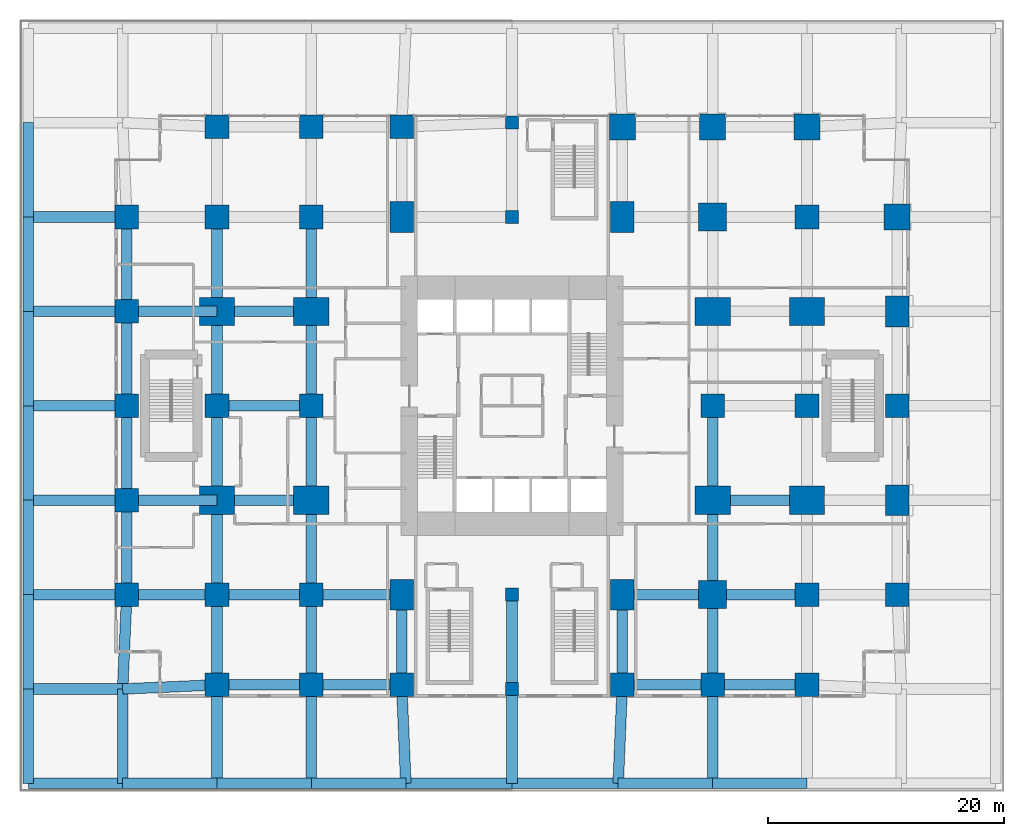
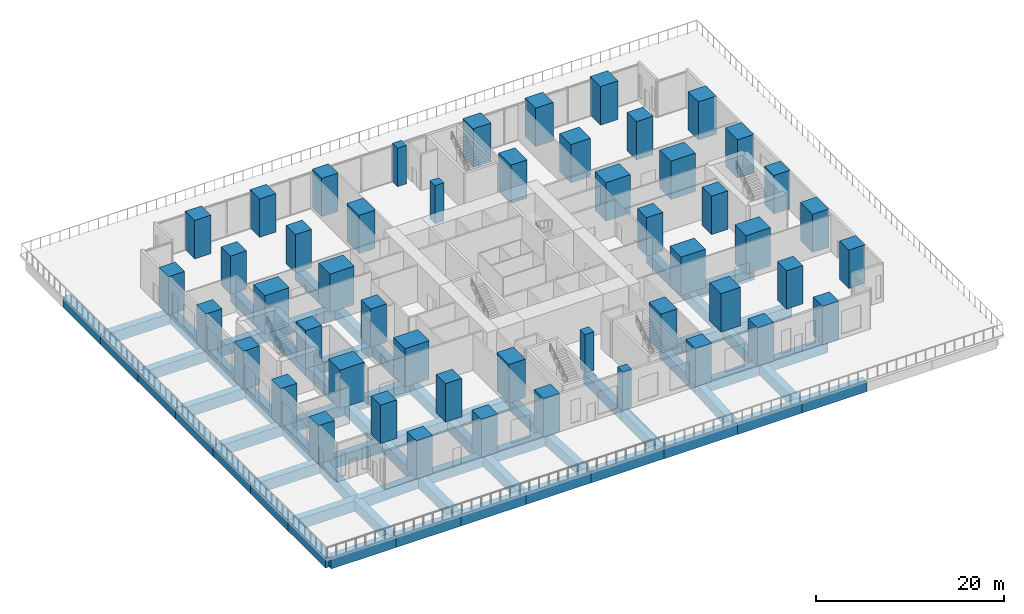
# One storey, part 1 of 16: 65 beams, 50 columns.
"""IFC4 building model written with IfcOpenShell, lengths in metres."""

import ifcopenshell
import ifcopenshell.guid

model = None  # the IFC model being written
_history = None  # IfcOwnerHistory: only IFC2X3 demands one
_inside = {}  # id of a spatial element -> (the spatial element, [elements in it])
_under = {}  # id of a project, library or spatial element -> (it, [spatial elements below it])
_declared = {}  # id of a project -> (the project, [libraries it declares])
_typed = {}  # id of a type object -> (the type object, [elements of that type])
_made_of = {}  # id of a material, layer set ... -> (it, [elements and type objects made of it])


def new_model(schema):
    """Start an empty IFC model of exactly this schema.

    Asked for "IFC4X3", IfcOpenShell would pick the latest addendum, in which some entities
    have other attributes; the version numbers below select the first issue.
    IFC2X3 requires an IfcOwnerHistory on every rooted entity: one is made here for all.
    """
    global model, _history
    if schema == "IFC4X3":
        model = ifcopenshell.file(schema_version=(4, 3, 0, 0))
    else:
        model = ifcopenshell.file(schema=schema)
    _inside.clear()
    _under.clear()
    _declared.clear()
    _typed.clear()
    _made_of.clear()
    _history = None
    if model.schema == "IFC2X3":
        org = make("IfcOrganization", Name="unknown")
        user = make(
            "IfcPersonAndOrganization",
            ThePerson=make("IfcPerson", FamilyName="unknown"),
            TheOrganization=org,
        )
        app = make(
            "IfcApplication",
            ApplicationDeveloper=org,
            Version="unknown",
            ApplicationFullName="unknown",
            ApplicationIdentifier="unknown",
        )
        _history = make(
            "IfcOwnerHistory",
            OwningUser=user,
            OwningApplication=app,
            ChangeAction="ADDED",
            CreationDate=0,
        )
    return model


def make(cls, **values):
    """One entity of the class cls with the attributes given. An attribute that is None is left unset."""
    return model.create_entity(
        cls, **{name: value for name, value in values.items() if value is not None}
    )


def rooted(cls, **values):
    """An entity with a GlobalId (a new one), such as an element, a storey or a relation."""
    return make(cls, GlobalId=ifcopenshell.guid.new(), OwnerHistory=_history, **values)


def si_unit(unit_type, name, prefix=None):
    """IfcSIUnit, for example si_unit("LENGTHUNIT", "METRE", prefix="MILLI")."""
    return make("IfcSIUnit", UnitType=unit_type, Prefix=prefix, Name=name)


def assignment(units):
    """IfcUnitAssignment: the units of a project."""
    return None if units is None else make("IfcUnitAssignment", Units=units)


def point(xyz):
    """IfcCartesianPoint."""
    return None if xyz is None else make("IfcCartesianPoint", Coordinates=xyz)


def direction(xyz):
    """IfcDirection."""
    return None if xyz is None else make("IfcDirection", DirectionRatios=xyz)


def frame(location, z_axis=None, x_axis=None):
    """IfcAxis2Placement3D, a coordinate frame: its origin and axes. An axis left out is left unset."""
    return make(
        "IfcAxis2Placement3D",
        Location=point(location),
        Axis=direction(z_axis),
        RefDirection=direction(x_axis),
    )


def frame_2d(location, x_axis=None):
    """IfcAxis2Placement2D, a coordinate frame in the plane: its origin and x axis."""
    return make(
        "IfcAxis2Placement2D", Location=point(location), RefDirection=direction(x_axis)
    )


def origin():
    """The frame at (0, 0, 0) with its axes left unset."""
    return frame((0.0, 0.0, 0.0))


def origin_2d():
    """The frame at (0, 0) in the plane with its x axis left unset."""
    return frame_2d((0.0, 0.0))


def place(relative_to, where):
    """IfcLocalPlacement: puts the frame where relative to a parent placement (None: the world)."""
    return make(
        "IfcLocalPlacement", PlacementRelTo=relative_to, RelativePlacement=where
    )


def context(
    kind, dimensions, precision=None, world=None, true_north=None, identifier=None
):
    """IfcGeometricRepresentationContext, for example the 3D "Model" context."""
    return make(
        "IfcGeometricRepresentationContext",
        ContextIdentifier=identifier,
        ContextType=kind,
        CoordinateSpaceDimension=dimensions,
        Precision=precision,
        WorldCoordinateSystem=world,
        TrueNorth=true_north,
    )


def subcontext(parent, identifier, kind, view, scale=None):
    """IfcGeometricRepresentationSubContext, for example "Body" below "Model"."""
    return make(
        "IfcGeometricRepresentationSubContext",
        ContextIdentifier=identifier,
        ContextType=kind,
        ParentContext=parent,
        TargetScale=scale,
        TargetView=view,
    )


def project(units=None, contexts=None):
    """IfcProject with its units and contexts."""
    return rooted(
        "IfcProject",
        Name="project",
        RepresentationContexts=contexts,
        UnitsInContext=assignment(units),
    )


def spatial(cls, under=None, at=None, **own):
    """A site, building, storey or space (cls), placed at a placement, below another one or the project."""
    s = rooted(cls, ObjectPlacement=at, **own)
    if under is not None:
        _under.setdefault(under.id(), (under, []))[1].append(s)
    return s


def profile(cls, at=None, kind="AREA", **sizes):
    """A parametric profile (cls). Its sizes go by their IFC names, for example OverallWidth=200.0."""
    return make(cls, ProfileType=kind, Position=at, **sizes)


def rectangle(**sizes):
    """IfcRectangleProfileDef."""
    return profile("IfcRectangleProfileDef", **sizes)


def extrude(swept, where, along, depth):
    """IfcExtrudedAreaSolid: the profile swept, set in the frame where, extruded along a direction by depth."""
    return make(
        "IfcExtrudedAreaSolid",
        SweptArea=swept,
        Position=where,
        ExtrudedDirection=direction(along),
        Depth=depth,
    )


def shape(context_of_items, identifier, shape_type, items):
    """IfcShapeRepresentation: the items that make up one representation, for example the "Body"."""
    return make(
        "IfcShapeRepresentation",
        ContextOfItems=context_of_items,
        RepresentationIdentifier=identifier,
        RepresentationType=shape_type,
        Items=items,
    )


def material(Name=None, Category=None):
    """IfcMaterial."""
    return make("IfcMaterial", Name=Name, Category=Category)


def material_profile(
    of_material, cross_section, Name=None, Category=None, Priority=None
):
    """IfcMaterialProfile: a cross section and its material."""
    return make(
        "IfcMaterialProfile",
        Name=Name,
        Material=of_material,
        Profile=cross_section,
        Priority=Priority,
        Category=Category,
    )


def profile_set(profiles, Name=None, composite=None):
    """IfcMaterialProfileSet."""
    return make(
        "IfcMaterialProfileSet",
        Name=Name,
        MaterialProfiles=profiles,
        CompositeProfile=composite,
    )


def made_of(thing, what):
    """Note that an element or type object is made of a material, layer set ...; save() writes the relation."""
    if what is not None:
        _made_of.setdefault(what.id(), (what, []))[1].append(thing)
    return thing


def type_object(cls, material=None, **own):
    """A type object (cls), such as IfcWallType, which elements share."""
    return made_of(rooted(cls, **own), material)


def element(
    cls,
    number,
    at=None,
    inside=None,
    cuts=None,
    type_object=None,
    material=None,
    context=None,
    identifier="Body",
    shape_type=None,
    held_by="IfcProductDefinitionShape",
    body=None,
    shapes=None,
    **own,
):
    """One element of the class cls, such as IfcWall. Its Tag is "e" and its number.

    at: its placement. inside: the storey or other place that contains it. cuts: it is an
    opening in that element (IfcRelVoidsElement). A single representation is given by context,
    identifier, shape_type and body (its items); several are given by shapes. held_by: the class
    of the entity that holds the representations. save() writes the other relations.
    """
    e = rooted(cls, Tag="e%d" % number, ObjectPlacement=at, **own)
    if body is not None:
        shapes = [shape(context, identifier, shape_type, body)]
    if shapes is not None:
        e.Representation = make(held_by, Representations=shapes)
    if inside is not None:
        _inside.setdefault(inside.id(), (inside, []))[1].append(e)
    if cuts is not None:
        rooted(
            "IfcRelVoidsElement", RelatingBuildingElement=cuts, RelatedOpeningElement=e
        )
    if type_object is not None:
        _typed.setdefault(type_object.id(), (type_object, []))[1].append(e)
    return made_of(e, material)


def aggregate(whole, parts):
    """IfcRelAggregates: a whole, such as a stair, and the parts it consists of."""
    return rooted("IfcRelAggregates", RelatingObject=whole, RelatedObjects=parts)


def save(model, path):
    """Write the relations noted so far, then the file.

    IfcRelAggregates (storeys below a building ...), IfcRelContainedInSpatialStructure (elements
    in a storey), IfcRelDefinesByType, IfcRelAssociatesMaterial and IfcRelDeclares: one each for
    every whole, place, type object, material and project.
    """
    for whole, parts in _under.values():
        aggregate(whole, parts)
    for where, things in _inside.values():
        rooted(
            "IfcRelContainedInSpatialStructure",
            RelatedElements=things,
            RelatingStructure=where,
        )
    for kind, things in _typed.values():
        rooted("IfcRelDefinesByType", RelatedObjects=things, RelatingType=kind)
    for what, things in _made_of.values():
        rooted("IfcRelAssociatesMaterial", RelatedObjects=things, RelatingMaterial=what)
    for by, libraries in _declared.values():
        rooted("IfcRelDeclares", RelatingContext=by, RelatedDefinitions=libraries)
    model.write(path)


model = new_model("IFC4")

# Units and contexts
model_context = context("Model", 3, precision=1e-05, world=origin(), true_north=direction((0.0, 1.0)))
body_context = subcontext(model_context, "Body", "Model", "MODEL_VIEW")
ifc_project = project(units=[si_unit("LENGTHUNIT", "METRE"), si_unit("AREAUNIT", "SQUARE_METRE"), si_unit("VOLUMEUNIT", "CUBIC_METRE"), si_unit("PLANEANGLEUNIT", "RADIAN"), si_unit("MASSUNIT", "GRAM", prefix="KILO")], contexts=[model_context])

# Site, building, storey
site_placement = place(None, origin())
site = spatial("IfcSite", under=ifc_project, at=site_placement, CompositionType="ELEMENT")
building_placement = place(site_placement, origin())
building = spatial("IfcBuilding", under=site, at=building_placement, Name="Cleftline Residences", CompositionType="ELEMENT")
storey_placement = place(building_placement, frame((0.0, 0.0, 16.0)))
storey = spatial("IfcBuildingStorey", under=building, at=storey_placement, Name="L03", CompositionType="ELEMENT", Elevation=16.0)

# Columns
ifc_material_1 = material(Name="Concrete B70", Category="concrete")
ifc_material_profile_1 = material_profile(ifc_material_1, rectangle(XDim=1.10009765625, YDim=1.10009765625, at=origin_2d()))
ifc_profile_set_1 = profile_set([ifc_material_profile_1], Name="Concrete B70")
column_type_1 = type_object("IfcColumnType", Name="COLUMN RC1100X1100", PredefinedType="COLUMN", material=ifc_profile_set_1)
for number, where, z_axis, x_axis, name in (
    (1, (33.0, 0.0, 0.0), (0.0, 0.0, 1.0), (1.0, 0.0, 0.0), "Column C/7"),
    (2, (33.0, 8.0, 0.0), (0.0, 0.0, 1.0), (1.0, 0.0, 0.0), "Column D/7"),
    (3, (33.0, 40.0, 0.0), (0.0, 0.0, 1.0), (1.0, 0.0, 0.0), "Column H/7"),
    (4, (33.0, 48.0, 0.0), (0.0, 0.0, 1.0), (1.0, 0.0, 0.0), "Column J/7"),
):
    element("IfcColumn", number, at=place(storey_placement, frame(where, z_axis=z_axis, x_axis=x_axis)), inside=storey, type_object=column_type_1, Name=name, PredefinedType="COLUMN", context=body_context, shape_type="SweptSolid", body=[
        extrude(rectangle(XDim=1.10009765625, YDim=1.10009765625, at=origin_2d()), origin(), (0.0, 0.0, 1.0), 5.0),
    ])
ifc_material_2 = material(Name="Concrete B70", Category="concrete")
ifc_material_profile_2 = material_profile(ifc_material_2, rectangle(XDim=2.0, YDim=2.0, at=origin_2d()))
ifc_profile_set_2 = profile_set([ifc_material_profile_2], Name="Concrete B70")
column_type_2 = type_object("IfcColumnType", Name="COLUMN RC2000X2000", PredefinedType="COLUMN", material=ifc_profile_set_2)
for number, where, z_axis, x_axis, name in (
    (5, (0.35009765625, 8.0, 0.0), (0.0, 0.0, 1.0), (1.0, 0.0, 0.0), "Column D/3"),
    (6, (0.35009765625, 16.0, 0.0), (0.0, 0.0, 1.0), (1.0, 0.0, 0.0), "Column E/3"),
    (7, (0.35009765625, 24.0, 0.0), (0.0, 0.0, 1.0), (1.0, 0.0, 0.0), "Column F/3"),
    (8, (0.35009765625, 32.0, 0.0), (0.0, 0.0, 1.0), (1.0, 0.0, 0.0), "Column G/3"),
    (9, (0.35009765625, 40.0, 0.0), (0.0, 0.0, 1.0), (1.0, 0.0, 0.0), "Column H/3"),
    (10, (8.0, 0.35009765625, 0.0), (0.0, 0.0, 1.0), (1.0, 0.0, 0.0), "Column C/4"),
    (11, (8.0, 8.0, 0.0), (0.0, 0.0, 1.0), (1.0, 0.0, 0.0), "Column D/4"),
    (12, (8.0, 24.0, 0.0), (0.0, 0.0, 1.0), (1.0, 0.0, 0.0), "Column F/4"),
    (13, (8.0, 40.0, 0.0), (0.0, 0.0, 1.0), (1.0, 0.0, 0.0), "Column H/4"),
    (14, (8.0, 47.64990234375, 0.0), (0.0, 0.0, 1.0), (1.0, 0.0, 0.0), "Column J/4"),
    (15, (16.0, 0.35009765625, 0.0), (0.0, 0.0, 1.0), (1.0, 0.0, 0.0), "Column C/5"),
    (16, (16.0, 8.0, 0.0), (0.0, 0.0, 1.0), (1.0, 0.0, 0.0), "Column D/5"),
    (17, (16.0, 24.0, 0.0), (0.0, 0.0, 1.0), (1.0, 0.0, 0.0), "Column F/5"),
    (18, (16.0, 40.0, 0.0), (0.0, 0.0, 1.0), (1.0, 0.0, 0.0), "Column H/5"),
    (19, (16.0, 47.64990234375, 0.0), (0.0, 0.0, 1.0), (1.0, 0.0, 0.0), "Column J/5"),
    (20, (23.64990234375, 0.35009765625, 0.0), (0.0, 0.0, 1.0), (1.0, 0.0, 0.0), "Column C/6"),
    (21, (23.64990234375, 47.64990234375, 0.0), (0.0, 0.0, 1.0), (1.0, 0.0, 0.0), "Column J/6"),
    (22, (42.35009765625, 0.35009765625, 0.0), (0.0, 0.0, 1.0), (1.0, 0.0, 0.0), "Column C/8"),
    (23, (50.0, 0.35009765625, 0.0), (0.0, 0.0, 1.0), (1.0, 0.0, 0.0), "Column C/9"),
    (24, (50.0, 24.0, 0.0), (0.0, 0.0, 1.0), (1.0, 0.0, 0.0), "Column F/9"),
    (25, (58.0, 0.35009765625, 0.0), (0.0, 0.0, 1.0), (1.0, 0.0, 0.0), "Column C/10"),
    (26, (58.0, 8.0, 0.0), (0.0, 0.0, 1.0), (1.0, 0.0, 0.0), "Column D/10"),
    (27, (58.0, 24.0, 0.0), (0.0, 0.0, 1.0), (1.0, 0.0, 0.0), "Column F/10"),
    (28, (58.0, 40.0, 0.0), (0.0, 0.0, 1.0), (1.0, 0.0, 0.0), "Column H/10"),
    (29, (65.64990234375, 8.0, 0.0), (0.0, 0.0, 1.0), (1.0, 0.0, 0.0), "Column D/11"),
    (30, (65.64990234375, 24.0, 0.0), (0.0, 0.0, 1.0), (1.0, 0.0, 0.0), "Column F/11"),
):
    element("IfcColumn", number, at=place(storey_placement, frame(where, z_axis=z_axis, x_axis=x_axis)), inside=storey, type_object=column_type_2, Name=name, PredefinedType="COLUMN", context=body_context, shape_type="SweptSolid", body=[
        extrude(rectangle(XDim=2.0, YDim=2.0, at=origin_2d()), origin(), (0.0, 0.0, 1.0), 5.0),
    ])
ifc_material_3 = material(Name="Concrete B70", Category="concrete")
ifc_material_profile_3 = material_profile(ifc_material_3, rectangle(XDim=2.0, YDim=2.60009765625, at=origin_2d()))
ifc_profile_set_3 = profile_set([ifc_material_profile_3], Name="Concrete B70")
column_type_3 = type_object("IfcColumnType", Name="COLUMN RC2000X2600", PredefinedType="COLUMN", material=ifc_profile_set_3)
for number, where, z_axis, x_axis, name in (
    (31, (23.64990234375, 8.0, 0.0), (0.0, 0.0, 1.0), (1.0, 0.0, 0.0), "Column D/6"),
    (32, (23.64990234375, 40.0, 0.0), (0.0, 0.0, 1.0), (1.0, 0.0, 0.0), "Column H/6"),
    (33, (42.35009765625, 8.0, 0.0), (0.0, 0.0, 1.0), (1.0, 0.0, 0.0), "Column D/8"),
    (34, (42.35009765625, 40.0, 0.0), (0.0, 0.0, 1.0), (1.0, 0.0, 0.0), "Column H/8"),
):
    element("IfcColumn", number, at=place(storey_placement, frame(where, z_axis=z_axis, x_axis=x_axis)), inside=storey, type_object=column_type_3, Name=name, PredefinedType="COLUMN", context=body_context, shape_type="SweptSolid", body=[
        extrude(rectangle(XDim=2.0, YDim=2.60009765625, at=origin_2d()), origin(), (0.0, 0.0, 1.0), 5.0),
    ])
ifc_material_4 = material(Name="Concrete B70", Category="concrete")
ifc_material_profile_4 = material_profile(ifc_material_4, rectangle(XDim=2.199951171875, YDim=2.199951171875, at=origin_2d()))
ifc_profile_set_4 = profile_set([ifc_material_profile_4], Name="Concrete B70")
column_type_4 = type_object("IfcColumnType", Name="COLUMN RC2200X2200", PredefinedType="COLUMN", material=ifc_profile_set_4)
for number, where, z_axis, x_axis, name in (
    (35, (42.35009765625, 47.64990234375, 0.0), (0.0, 0.0, 1.0), (1.0, 0.0, 0.0), "Column J/8"),
    (36, (50.0, 47.64990234375, 0.0), (0.0, 0.0, 1.0), (1.0, 0.0, 0.0), "Column J/9"),
    (37, (58.0, 47.64990234375, 0.0), (0.0, 0.0, 1.0), (1.0, 0.0, 0.0), "Column J/10"),
    (38, (65.64990234375, 40.0, 0.0), (0.0, 0.0, 1.0), (1.0, 0.0, 0.0), "Column H/11"),
):
    element("IfcColumn", number, at=place(storey_placement, frame(where, z_axis=z_axis, x_axis=x_axis)), inside=storey, type_object=column_type_4, Name=name, PredefinedType="COLUMN", context=body_context, shape_type="SweptSolid", body=[
        extrude(rectangle(XDim=2.199951171875, YDim=2.199951171875, at=origin_2d()), origin(), (0.0, 0.0, 1.0), 5.0),
    ])
ifc_material_5 = material(Name="Concrete B70", Category="concrete")
ifc_material_profile_5 = material_profile(ifc_material_5, rectangle(XDim=2.39990234375, YDim=2.39990234375, at=origin_2d()))
ifc_profile_set_5 = profile_set([ifc_material_profile_5], Name="Concrete B70")
column_type_5 = type_object("IfcColumnType", Name="COLUMN RC2400X2400", PredefinedType="COLUMN", material=ifc_profile_set_5)
for number, where, z_axis, x_axis, name in (
    (39, (50.0, 8.0, 0.0), (0.0, 0.0, 1.0), (1.0, 0.0, 0.0), "Column D/9"),
    (40, (50.0, 40.0, 0.0), (0.0, 0.0, 1.0), (1.0, 0.0, 0.0), "Column H/9"),
):
    element("IfcColumn", number, at=place(storey_placement, frame(where, z_axis=z_axis, x_axis=x_axis)), inside=storey, type_object=column_type_5, Name=name, PredefinedType="COLUMN", context=body_context, shape_type="SweptSolid", body=[
        extrude(rectangle(XDim=2.39990234375, YDim=2.39990234375, at=origin_2d()), origin(), (0.0, 0.0, 1.0), 5.0),
    ])
ifc_material_6 = material(Name="Concrete B70", Category="concrete")
ifc_material_profile_6 = material_profile(ifc_material_6, rectangle(XDim=2.60009765625, YDim=2.0, at=origin_2d()))
ifc_profile_set_6 = profile_set([ifc_material_profile_6], Name="Concrete B70")
column_type_6 = type_object("IfcColumnType", Name="COLUMN RC2600X2000", PredefinedType="COLUMN", material=ifc_profile_set_6)
for number, where, z_axis, x_axis, name in (
    (41, (65.64990234375, 16.0, 0.0), (0.0, 0.0, 1.0), (0.0, 1.0, 0.0), "Column E/11"),
    (42, (65.64990234375, 32.0, 0.0), (0.0, 0.0, 1.0), (0.0, 1.0, 0.0), "Column G/11"),
):
    element("IfcColumn", number, at=place(storey_placement, frame(where, z_axis=z_axis, x_axis=x_axis)), inside=storey, type_object=column_type_6, Name=name, PredefinedType="COLUMN", context=body_context, shape_type="SweptSolid", body=[
        extrude(rectangle(XDim=2.60009765625, YDim=2.0, at=origin_2d()), origin(), (0.0, 0.0, 1.0), 5.0),
    ])
ifc_material_7 = material(Name="Concrete B70", Category="concrete")
ifc_material_profile_7 = material_profile(ifc_material_7, rectangle(XDim=3.0, YDim=2.39990234375, at=origin_2d()))
ifc_profile_set_7 = profile_set([ifc_material_profile_7], Name="Concrete B70")
column_type_7 = type_object("IfcColumnType", Name="COLUMN RC3000X2400", PredefinedType="COLUMN", material=ifc_profile_set_7)
for number, where, z_axis, x_axis, name in (
    (43, (8.0, 16.0, 0.0), (0.0, 0.0, 1.0), (1.0, 0.0, 0.0), "Column E/4"),
    (44, (8.0, 32.0, 0.0), (0.0, 0.0, 1.0), (1.0, 0.0, 0.0), "Column G/4"),
    (45, (16.0, 16.0, 0.0), (0.0, 0.0, 1.0), (1.0, 0.0, 0.0), "Column E/5"),
    (46, (16.0, 32.0, 0.0), (0.0, 0.0, 1.0), (1.0, 0.0, 0.0), "Column G/5"),
    (47, (50.0, 16.0, 0.0), (0.0, 0.0, 1.0), (1.0, 0.0, 0.0), "Column E/9"),
    (48, (50.0, 32.0, 0.0), (0.0, 0.0, 1.0), (1.0, 0.0, 0.0), "Column G/9"),
    (49, (58.0, 16.0, 0.0), (0.0, 0.0, 1.0), (1.0, 0.0, 0.0), "Column E/10"),
    (50, (58.0, 32.0, 0.0), (0.0, 0.0, 1.0), (1.0, 0.0, 0.0), "Column G/10"),
):
    element("IfcColumn", number, at=place(storey_placement, frame(where, z_axis=z_axis, x_axis=x_axis)), inside=storey, type_object=column_type_7, Name=name, PredefinedType="COLUMN", context=body_context, shape_type="SweptSolid", body=[
        extrude(rectangle(XDim=3.0, YDim=2.39990234375, at=origin_2d()), origin(), (0.0, 0.0, 1.0), 5.0),
    ])

# Beams
ifc_material_8 = material(Name="Concrete B45", Category="concrete")
ifc_material_profile_8 = material_profile(ifc_material_8, rectangle(XDim=0.89990234375, YDim=1.39990234375, at=origin_2d()))
ifc_profile_set_8 = profile_set([ifc_material_profile_8], Name="Concrete B45")
beam_type = type_object("IfcBeamType", Name="BEAM RC900X1400", PredefinedType="BEAM", material=ifc_profile_set_8)
for number, where, z_axis, x_axis, name in (
    (51, (-8.0, -8.0, -1.0), (1.0, 0.0, 0.0), (0.0, 1.0, 0.0), "Podium beam"),
    (52, (0.0, -8.0, -1.0), (1.0, 0.0, 0.0), (0.0, 1.0, 0.0), "Podium beam"),
    (53, (8.0, -8.0, -1.0), (1.0, 0.0, 0.0), (0.0, 1.0, 0.0), "Podium beam"),
    (54, (16.0, -8.0, -1.0), (1.0, 0.0, 0.0), (0.0, 1.0, 0.0), "Podium beam"),
):
    element("IfcBeam", number, at=place(storey_placement, frame(where, z_axis=z_axis, x_axis=x_axis)), inside=storey, type_object=beam_type, Name=name, PredefinedType="BEAM", context=body_context, shape_type="SweptSolid", body=[
        extrude(rectangle(XDim=0.89990234375, YDim=1.39990234375, at=origin_2d()), origin(), (0.0, 0.0, 1.0), 8.0),
    ])
for number, where, z_axis, x_axis, name in (
    (55, (24.0, -8.0, -1.0), (1.0, 0.0, 0.0), (0.0, 1.0, 0.0), "Podium beam"),
    (56, (33.0, -8.0, -1.0), (1.0, 0.0, 0.0), (0.0, 1.0, 0.0), "Podium beam"),
):
    element("IfcBeam", number, at=place(storey_placement, frame(where, z_axis=z_axis, x_axis=x_axis)), inside=storey, type_object=beam_type, Name=name, PredefinedType="BEAM", context=body_context, shape_type="SweptSolid", body=[
        extrude(rectangle(XDim=0.89990234375, YDim=1.39990234375, at=origin_2d()), origin(), (0.0, 0.0, 1.0), 9.0),
    ])
for number, where, z_axis, x_axis, name in (
    (57, (42.0, -8.0, -1.0), (1.0, 0.0, 0.0), (0.0, 1.0, 0.0), "Podium beam"),
    (58, (50.0, -8.0, -1.0), (1.0, 0.0, 0.0), (0.0, 1.0, 0.0), "Podium beam"),
    (59, (-8.0, 0.0, -1.0), (1.0, 0.0, 0.0), (0.0, 1.0, 0.0), "Podium beam"),
):
    element("IfcBeam", number, at=place(storey_placement, frame(where, z_axis=z_axis, x_axis=x_axis)), inside=storey, type_object=beam_type, Name=name, PredefinedType="BEAM", context=body_context, shape_type="SweptSolid", body=[
        extrude(rectangle(XDim=0.89990234375, YDim=1.39990234375, at=origin_2d()), origin(), (0.0, 0.0, 1.0), 8.0),
    ])
beam_1_placement = place(storey_placement, frame((0.0, 0.0, -1.0), z_axis=(0.999043807824, 0.043720361951, 0.0), x_axis=(-0.043720361951, 0.999043807824, 0.0)))
element("IfcBeam", 60, at=beam_1_placement, inside=storey, type_object=beam_type, Name="Podium beam", PredefinedType="BEAM", context=body_context, shape_type="SweptSolid", body=[
    extrude(rectangle(XDim=0.89990234375, YDim=1.39990234375, at=origin_2d()), origin(), (0.0, 0.0, 1.0), 8.007568359375),
])
beam_2_placement = place(storey_placement, frame((8.0, 0.35009765625, -1.0), z_axis=(1.0, 0.0, 0.0), x_axis=(0.0, 1.0, 0.0)))
element("IfcBeam", 61, at=beam_2_placement, inside=storey, type_object=beam_type, Name="Podium beam", PredefinedType="BEAM", context=body_context, shape_type="SweptSolid", body=[
    extrude(rectangle(XDim=0.89990234375, YDim=1.39990234375, at=origin_2d()), origin(), (0.0, 0.0, 1.0), 8.0),
])
for number, where, z_axis, x_axis, name in (
    (62, (16.0, 0.35009765625, -1.0), (1.0, 0.0, 0.0), (0.0, 1.0, 0.0), "Podium beam"),
    (63, (42.35009765625, 0.35009765625, -1.0), (1.0, 0.0, 0.0), (0.0, 1.0, 0.0), "Podium beam"),
):
    element("IfcBeam", number, at=place(storey_placement, frame(where, z_axis=z_axis, x_axis=x_axis)), inside=storey, type_object=beam_type, Name=name, PredefinedType="BEAM", context=body_context, shape_type="SweptSolid", body=[
        extrude(rectangle(XDim=0.89990234375, YDim=1.39990234375, at=origin_2d()), origin(), (0.0, 0.0, 1.0), 7.64990234375),
    ])
beam_3_placement = place(storey_placement, frame((50.0, 0.35009765625, -1.0), z_axis=(1.0, 0.0, 0.0), x_axis=(0.0, 1.0, 0.0)))
element("IfcBeam", 64, at=beam_3_placement, inside=storey, type_object=beam_type, Name="Podium beam", PredefinedType="BEAM", context=body_context, shape_type="SweptSolid", body=[
    extrude(rectangle(XDim=0.89990234375, YDim=1.39990234375, at=origin_2d()), origin(), (0.0, 0.0, 1.0), 8.0),
])
beam_4_placement = place(storey_placement, frame((-8.0, 8.0, -1.0), z_axis=(1.0, 0.0, 0.0), x_axis=(0.0, 1.0, 0.0)))
element("IfcBeam", 65, at=beam_4_placement, inside=storey, type_object=beam_type, Name="Podium beam", PredefinedType="BEAM", context=body_context, shape_type="SweptSolid", body=[
    extrude(rectangle(XDim=0.89990234375, YDim=1.39990234375, at=origin_2d()), origin(), (0.0, 0.0, 1.0), 8.35009765625),
])
beam_5_placement = place(storey_placement, frame((0.35009765625, 8.0, -1.0), z_axis=(1.0, 0.0, 0.0), x_axis=(0.0, 1.0, 0.0)))
element("IfcBeam", 66, at=beam_5_placement, inside=storey, type_object=beam_type, Name="Podium beam", PredefinedType="BEAM", context=body_context, shape_type="SweptSolid", body=[
    extrude(rectangle(XDim=0.89990234375, YDim=1.39990234375, at=origin_2d()), origin(), (0.0, 0.0, 1.0), 7.64990234375),
])
beam_6_placement = place(storey_placement, frame((8.0, 8.0, -1.0), z_axis=(1.0, 0.0, 0.0), x_axis=(0.0, 1.0, 0.0)))
element("IfcBeam", 67, at=beam_6_placement, inside=storey, type_object=beam_type, Name="Podium beam", PredefinedType="BEAM", context=body_context, shape_type="SweptSolid", body=[
    extrude(rectangle(XDim=0.89990234375, YDim=1.39990234375, at=origin_2d()), origin(), (0.0, 0.0, 1.0), 8.0),
])
for number, where, z_axis, x_axis, name in (
    (68, (16.0, 8.0, -1.0), (1.0, 0.0, 0.0), (0.0, 1.0, 0.0), "Podium beam"),
    (69, (42.35009765625, 8.0, -1.0), (1.0, 0.0, 0.0), (0.0, 1.0, 0.0), "Podium beam"),
):
    element("IfcBeam", number, at=place(storey_placement, frame(where, z_axis=z_axis, x_axis=x_axis)), inside=storey, type_object=beam_type, Name=name, PredefinedType="BEAM", context=body_context, shape_type="SweptSolid", body=[
        extrude(rectangle(XDim=0.89990234375, YDim=1.39990234375, at=origin_2d()), origin(), (0.0, 0.0, 1.0), 7.64990234375),
    ])
beam_7_placement = place(storey_placement, frame((50.0, 8.0, -1.0), z_axis=(1.0, 0.0, 0.0), x_axis=(0.0, 1.0, 0.0)))
element("IfcBeam", 70, at=beam_7_placement, inside=storey, type_object=beam_type, Name="Podium beam", PredefinedType="BEAM", context=body_context, shape_type="SweptSolid", body=[
    extrude(rectangle(XDim=0.89990234375, YDim=1.39990234375, at=origin_2d()), origin(), (0.0, 0.0, 1.0), 8.0),
])
beam_8_placement = place(storey_placement, frame((-8.0, 16.0, -1.0), z_axis=(1.0, 0.0, 0.0), x_axis=(0.0, 1.0, 0.0)))
element("IfcBeam", 71, at=beam_8_placement, inside=storey, type_object=beam_type, Name="Podium beam", PredefinedType="BEAM", context=body_context, shape_type="SweptSolid", body=[
    extrude(rectangle(XDim=0.89990234375, YDim=1.39990234375, at=origin_2d()), origin(), (0.0, 0.0, 1.0), 8.35009765625),
])
beam_9_placement = place(storey_placement, frame((0.35009765625, 16.0, -1.0), z_axis=(1.0, 0.0, 0.0), x_axis=(0.0, 1.0, 0.0)))
element("IfcBeam", 72, at=beam_9_placement, inside=storey, type_object=beam_type, Name="Podium beam", PredefinedType="BEAM", context=body_context, shape_type="SweptSolid", body=[
    extrude(rectangle(XDim=0.89990234375, YDim=1.39990234375, at=origin_2d()), origin(), (0.0, 0.0, 1.0), 7.64990234375),
])
for number, where, z_axis, x_axis, name in (
    (73, (8.0, 16.0, -1.0), (1.0, 0.0, 0.0), (0.0, 1.0, 0.0), "Podium beam"),
    (74, (50.0, 16.0, -1.0), (1.0, 0.0, 0.0), (0.0, 1.0, 0.0), "Podium beam"),
):
    element("IfcBeam", number, at=place(storey_placement, frame(where, z_axis=z_axis, x_axis=x_axis)), inside=storey, type_object=beam_type, Name=name, PredefinedType="BEAM", context=body_context, shape_type="SweptSolid", body=[
        extrude(rectangle(XDim=0.89990234375, YDim=1.39990234375, at=origin_2d()), origin(), (0.0, 0.0, 1.0), 8.0),
    ])
beam_10_placement = place(storey_placement, frame((-8.0, 24.0, -1.0), z_axis=(1.0, 0.0, 0.0), x_axis=(0.0, 1.0, 0.0)))
element("IfcBeam", 75, at=beam_10_placement, inside=storey, type_object=beam_type, Name="Podium beam", PredefinedType="BEAM", context=body_context, shape_type="SweptSolid", body=[
    extrude(rectangle(XDim=0.89990234375, YDim=1.39990234375, at=origin_2d()), origin(), (0.0, 0.0, 1.0), 8.35009765625),
])
beam_11_placement = place(storey_placement, frame((8.0, 24.0, -1.0), z_axis=(1.0, 0.0, 0.0), x_axis=(0.0, 1.0, 0.0)))
element("IfcBeam", 76, at=beam_11_placement, inside=storey, type_object=beam_type, Name="Podium beam", PredefinedType="BEAM", context=body_context, shape_type="SweptSolid", body=[
    extrude(rectangle(XDim=0.89990234375, YDim=1.39990234375, at=origin_2d()), origin(), (0.0, 0.0, 1.0), 8.0),
])
beam_12_placement = place(storey_placement, frame((-8.0, 32.0, -1.0), z_axis=(1.0, 0.0, 0.0), x_axis=(0.0, 1.0, 0.0)))
element("IfcBeam", 77, at=beam_12_placement, inside=storey, type_object=beam_type, Name="Podium beam", PredefinedType="BEAM", context=body_context, shape_type="SweptSolid", body=[
    extrude(rectangle(XDim=0.89990234375, YDim=1.39990234375, at=origin_2d()), origin(), (0.0, 0.0, 1.0), 8.35009765625),
])
beam_13_placement = place(storey_placement, frame((0.35009765625, 32.0, -1.0), z_axis=(1.0, 0.0, 0.0), x_axis=(0.0, 1.0, 0.0)))
element("IfcBeam", 78, at=beam_13_placement, inside=storey, type_object=beam_type, Name="Podium beam", PredefinedType="BEAM", context=body_context, shape_type="SweptSolid", body=[
    extrude(rectangle(XDim=0.89990234375, YDim=1.39990234375, at=origin_2d()), origin(), (0.0, 0.0, 1.0), 7.64990234375),
])
beam_14_placement = place(storey_placement, frame((8.0, 32.0, -1.0), z_axis=(1.0, 0.0, 0.0), x_axis=(0.0, 1.0, 0.0)))
element("IfcBeam", 79, at=beam_14_placement, inside=storey, type_object=beam_type, Name="Podium beam", PredefinedType="BEAM", context=body_context, shape_type="SweptSolid", body=[
    extrude(rectangle(XDim=0.89990234375, YDim=1.39990234375, at=origin_2d()), origin(), (0.0, 0.0, 1.0), 8.0),
])
beam_15_placement = place(storey_placement, frame((-8.0, 40.0, -1.0), z_axis=(1.0, 0.0, 0.0), x_axis=(0.0, 1.0, 0.0)))
element("IfcBeam", 80, at=beam_15_placement, inside=storey, type_object=beam_type, Name="Podium beam", PredefinedType="BEAM", context=body_context, shape_type="SweptSolid", body=[
    extrude(rectangle(XDim=0.89990234375, YDim=1.39990234375, at=origin_2d()), origin(), (0.0, 0.0, 1.0), 8.35009765625),
])
for number, where, z_axis, x_axis, name in (
    (81, (-8.0, -8.0, -1.0), (0.0, 1.0, 0.0), (-1.0, 0.0, 0.0), "Podium beam"),
    (82, (-8.0, 0.0, -1.0), (0.0, 1.0, 0.0), (-1.0, 0.0, 0.0), "Podium beam"),
    (83, (-8.0, 8.0, -1.0), (0.0, 1.0, 0.0), (-1.0, 0.0, 0.0), "Podium beam"),
    (84, (-8.0, 16.0, -1.0), (0.0, 1.0, 0.0), (-1.0, 0.0, 0.0), "Podium beam"),
    (85, (-8.0, 24.0, -1.0), (0.0, 1.0, 0.0), (-1.0, 0.0, 0.0), "Podium beam"),
    (86, (-8.0, 32.0, -1.0), (0.0, 1.0, 0.0), (-1.0, 0.0, 0.0), "Podium beam"),
    (87, (-8.0, 40.0, -1.0), (0.0, 1.0, 0.0), (-1.0, 0.0, 0.0), "Podium beam"),
    (88, (0.0, -8.0, -1.0), (0.0, 1.0, 0.0), (-1.0, 0.0, 0.0), "Podium beam"),
):
    element("IfcBeam", number, at=place(storey_placement, frame(where, z_axis=z_axis, x_axis=x_axis)), inside=storey, type_object=beam_type, Name=name, PredefinedType="BEAM", context=body_context, shape_type="SweptSolid", body=[
        extrude(rectangle(XDim=0.89990234375, YDim=1.39990234375, at=origin_2d()), origin(), (0.0, 0.0, 1.0), 8.0),
    ])
beam_16_placement = place(storey_placement, frame((0.0, 0.0, -1.0), z_axis=(0.043720361951, 0.999043807824, 0.0), x_axis=(-0.999043807824, 0.043720361951, 0.0)))
element("IfcBeam", 89, at=beam_16_placement, inside=storey, type_object=beam_type, Name="Podium beam", PredefinedType="BEAM", context=body_context, shape_type="SweptSolid", body=[
    extrude(rectangle(XDim=0.89990234375, YDim=1.39990234375, at=origin_2d()), origin(), (0.0, 0.0, 1.0), 8.007568359375),
])
for number, where, z_axis, x_axis, name in (
    (90, (0.35009765625, 8.0, -1.0), (0.0, 1.0, 0.0), (-1.0, 0.0, 0.0), "Podium beam"),
    (91, (0.35009765625, 16.0, -1.0), (0.0, 1.0, 0.0), (-1.0, 0.0, 0.0), "Podium beam"),
    (92, (0.35009765625, 24.0, -1.0), (0.0, 1.0, 0.0), (-1.0, 0.0, 0.0), "Podium beam"),
    (93, (0.35009765625, 32.0, -1.0), (0.0, 1.0, 0.0), (-1.0, 0.0, 0.0), "Podium beam"),
):
    element("IfcBeam", number, at=place(storey_placement, frame(where, z_axis=z_axis, x_axis=x_axis)), inside=storey, type_object=beam_type, Name=name, PredefinedType="BEAM", context=body_context, shape_type="SweptSolid", body=[
        extrude(rectangle(XDim=0.89990234375, YDim=1.39990234375, at=origin_2d()), origin(), (0.0, 0.0, 1.0), 8.0),
    ])
beam_17_placement = place(storey_placement, frame((8.0, -8.0, -1.0), z_axis=(0.0, 1.0, 0.0), x_axis=(-1.0, 0.0, 0.0)))
element("IfcBeam", 94, at=beam_17_placement, inside=storey, type_object=beam_type, Name="Podium beam", PredefinedType="BEAM", context=body_context, shape_type="SweptSolid", body=[
    extrude(rectangle(XDim=0.89990234375, YDim=1.39990234375, at=origin_2d()), origin(), (0.0, 0.0, 1.0), 8.35009765625),
])
beam_18_placement = place(storey_placement, frame((8.0, 0.35009765625, -1.0), z_axis=(0.0, 1.0, 0.0), x_axis=(-1.0, 0.0, 0.0)))
element("IfcBeam", 95, at=beam_18_placement, inside=storey, type_object=beam_type, Name="Podium beam", PredefinedType="BEAM", context=body_context, shape_type="SweptSolid", body=[
    extrude(rectangle(XDim=0.89990234375, YDim=1.39990234375, at=origin_2d()), origin(), (0.0, 0.0, 1.0), 7.64990234375),
])
for number, where, z_axis, x_axis, name in (
    (96, (8.0, 8.0, -1.0), (0.0, 1.0, 0.0), (-1.0, 0.0, 0.0), "Podium beam"),
    (97, (8.0, 16.0, -1.0), (0.0, 1.0, 0.0), (-1.0, 0.0, 0.0), "Podium beam"),
    (98, (8.0, 24.0, -1.0), (0.0, 1.0, 0.0), (-1.0, 0.0, 0.0), "Podium beam"),
    (99, (8.0, 32.0, -1.0), (0.0, 1.0, 0.0), (-1.0, 0.0, 0.0), "Podium beam"),
):
    element("IfcBeam", number, at=place(storey_placement, frame(where, z_axis=z_axis, x_axis=x_axis)), inside=storey, type_object=beam_type, Name=name, PredefinedType="BEAM", context=body_context, shape_type="SweptSolid", body=[
        extrude(rectangle(XDim=0.89990234375, YDim=1.39990234375, at=origin_2d()), origin(), (0.0, 0.0, 1.0), 8.0),
    ])
beam_19_placement = place(storey_placement, frame((16.0, -8.0, -1.0), z_axis=(0.0, 1.0, 0.0), x_axis=(-1.0, 0.0, 0.0)))
element("IfcBeam", 100, at=beam_19_placement, inside=storey, type_object=beam_type, Name="Podium beam", PredefinedType="BEAM", context=body_context, shape_type="SweptSolid", body=[
    extrude(rectangle(XDim=0.89990234375, YDim=1.39990234375, at=origin_2d()), origin(), (0.0, 0.0, 1.0), 8.35009765625),
])
beam_20_placement = place(storey_placement, frame((16.0, 0.35009765625, -1.0), z_axis=(0.0, 1.0, 0.0), x_axis=(-1.0, 0.0, 0.0)))
element("IfcBeam", 101, at=beam_20_placement, inside=storey, type_object=beam_type, Name="Podium beam", PredefinedType="BEAM", context=body_context, shape_type="SweptSolid", body=[
    extrude(rectangle(XDim=0.89990234375, YDim=1.39990234375, at=origin_2d()), origin(), (0.0, 0.0, 1.0), 7.64990234375),
])
for number, where, z_axis, x_axis, name in (
    (102, (16.0, 8.0, -1.0), (0.0, 1.0, 0.0), (-1.0, 0.0, 0.0), "Podium beam"),
    (103, (16.0, 16.0, -1.0), (0.0, 1.0, 0.0), (-1.0, 0.0, 0.0), "Podium beam"),
    (104, (16.0, 24.0, -1.0), (0.0, 1.0, 0.0), (-1.0, 0.0, 0.0), "Podium beam"),
    (105, (16.0, 32.0, -1.0), (0.0, 1.0, 0.0), (-1.0, 0.0, 0.0), "Podium beam"),
):
    element("IfcBeam", number, at=place(storey_placement, frame(where, z_axis=z_axis, x_axis=x_axis)), inside=storey, type_object=beam_type, Name=name, PredefinedType="BEAM", context=body_context, shape_type="SweptSolid", body=[
        extrude(rectangle(XDim=0.89990234375, YDim=1.39990234375, at=origin_2d()), origin(), (0.0, 0.0, 1.0), 8.0),
    ])
beam_21_placement = place(storey_placement, frame((24.0, -8.0, -1.0), z_axis=(-0.041890569024, 0.999122204851, 0.0), x_axis=(-0.999122204851, -0.041890569024, 0.0)))
element("IfcBeam", 106, at=beam_21_placement, inside=storey, type_object=beam_type, Name="Podium beam", PredefinedType="BEAM", context=body_context, shape_type="SweptSolid", body=[
    extrude(rectangle(XDim=0.89990234375, YDim=1.39990234375, at=origin_2d()), origin(), (0.0, 0.0, 1.0), 8.357421875),
])
beam_22_placement = place(storey_placement, frame((23.64990234375, 0.35009765625, -1.0), z_axis=(0.0, 1.0, 0.0), x_axis=(-1.0, 0.0, 0.0)))
element("IfcBeam", 107, at=beam_22_placement, inside=storey, type_object=beam_type, Name="Podium beam", PredefinedType="BEAM", context=body_context, shape_type="SweptSolid", body=[
    extrude(rectangle(XDim=0.89990234375, YDim=1.39990234375, at=origin_2d()), origin(), (0.0, 0.0, 1.0), 7.64990234375),
])
for number, where, z_axis, x_axis, name in (
    (108, (33.0, -8.0, -1.0), (0.0, 1.0, 0.0), (-1.0, 0.0, 0.0), "Podium beam"),
    (109, (33.0, 0.0, -1.0), (0.0, 1.0, 0.0), (-1.0, 0.0, 0.0), "Podium beam"),
):
    element("IfcBeam", number, at=place(storey_placement, frame(where, z_axis=z_axis, x_axis=x_axis)), inside=storey, type_object=beam_type, Name=name, PredefinedType="BEAM", context=body_context, shape_type="SweptSolid", body=[
        extrude(rectangle(XDim=0.89990234375, YDim=1.39990234375, at=origin_2d()), origin(), (0.0, 0.0, 1.0), 8.0),
    ])
beam_23_placement = place(storey_placement, frame((42.0, -8.0, -1.0), z_axis=(0.041890569024, 0.999122204851, 0.0), x_axis=(-0.999122204851, 0.041890569024, 0.0)))
element("IfcBeam", 110, at=beam_23_placement, inside=storey, type_object=beam_type, Name="Podium beam", PredefinedType="BEAM", context=body_context, shape_type="SweptSolid", body=[
    extrude(rectangle(XDim=0.89990234375, YDim=1.39990234375, at=origin_2d()), origin(), (0.0, 0.0, 1.0), 8.357421875),
])
beam_24_placement = place(storey_placement, frame((42.35009765625, 0.35009765625, -1.0), z_axis=(0.0, 1.0, 0.0), x_axis=(-1.0, 0.0, 0.0)))
element("IfcBeam", 111, at=beam_24_placement, inside=storey, type_object=beam_type, Name="Podium beam", PredefinedType="BEAM", context=body_context, shape_type="SweptSolid", body=[
    extrude(rectangle(XDim=0.89990234375, YDim=1.39990234375, at=origin_2d()), origin(), (0.0, 0.0, 1.0), 7.64990234375),
])
beam_25_placement = place(storey_placement, frame((50.0, -8.0, -1.0), z_axis=(0.0, 1.0, 0.0), x_axis=(-1.0, 0.0, 0.0)))
element("IfcBeam", 112, at=beam_25_placement, inside=storey, type_object=beam_type, Name="Podium beam", PredefinedType="BEAM", context=body_context, shape_type="SweptSolid", body=[
    extrude(rectangle(XDim=0.89990234375, YDim=1.39990234375, at=origin_2d()), origin(), (0.0, 0.0, 1.0), 8.35009765625),
])
beam_26_placement = place(storey_placement, frame((50.0, 0.35009765625, -1.0), z_axis=(0.0, 1.0, 0.0), x_axis=(-1.0, 0.0, 0.0)))
element("IfcBeam", 113, at=beam_26_placement, inside=storey, type_object=beam_type, Name="Podium beam", PredefinedType="BEAM", context=body_context, shape_type="SweptSolid", body=[
    extrude(rectangle(XDim=0.89990234375, YDim=1.39990234375, at=origin_2d()), origin(), (0.0, 0.0, 1.0), 7.64990234375),
])
for number, where, z_axis, x_axis, name in (
    (114, (50.0, 8.0, -1.0), (0.0, 1.0, 0.0), (-1.0, 0.0, 0.0), "Podium beam"),
    (115, (50.0, 16.0, -1.0), (0.0, 1.0, 0.0), (-1.0, 0.0, 0.0), "Podium beam"),
):
    element("IfcBeam", number, at=place(storey_placement, frame(where, z_axis=z_axis, x_axis=x_axis)), inside=storey, type_object=beam_type, Name=name, PredefinedType="BEAM", context=body_context, shape_type="SweptSolid", body=[
        extrude(rectangle(XDim=0.89990234375, YDim=1.39990234375, at=origin_2d()), origin(), (0.0, 0.0, 1.0), 8.0),
    ])

save(model, "model.ifc")
